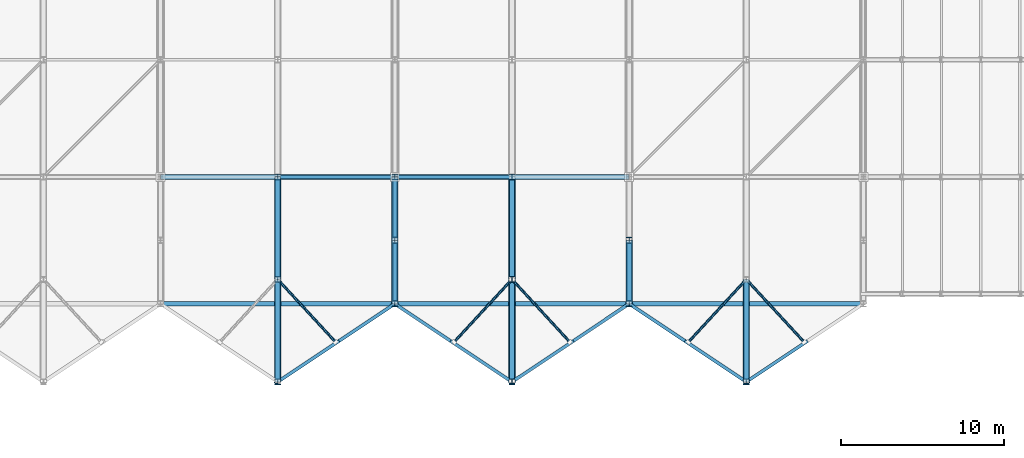
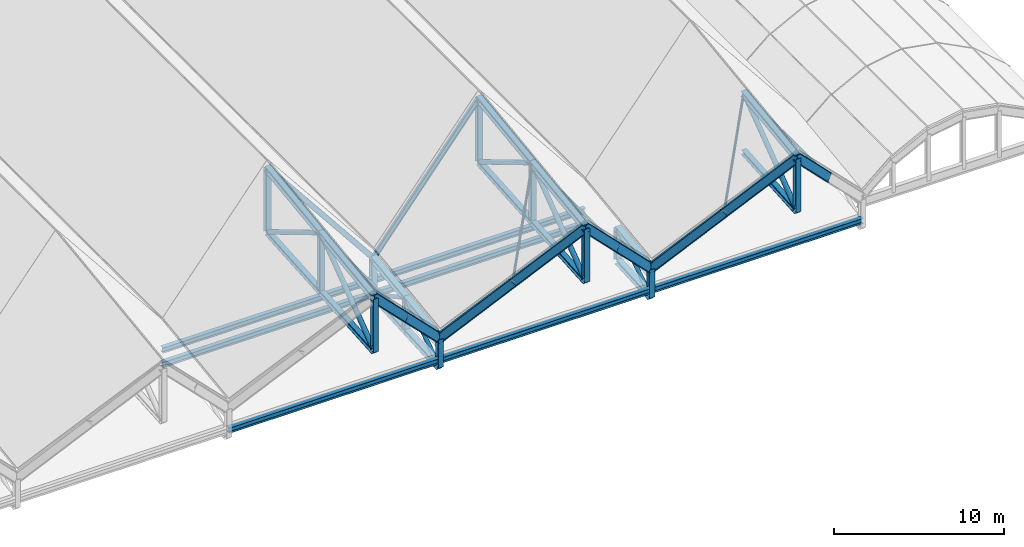
# One storey, part 11 of 60: 52 members, 7 beams.
"""IFC4 building model written with IfcOpenShell, lengths in metres."""

from ifc_helpers import new_model, si_unit, direction, frame, origin, origin_2d, place, context, subcontext, project, spatial, hollow_circle, i_section, extrude, material, material_profile, profile_set, type_object, element, save


model = new_model("IFC4")

# Units and contexts
model_context = context("Model", 3, precision=1e-05, world=origin(), true_north=direction((0.0, 1.0)))
body_context = subcontext(model_context, "Body", "Model", "MODEL_VIEW")
ifc_project = project(units=[si_unit("LENGTHUNIT", "METRE"), si_unit("AREAUNIT", "SQUARE_METRE"), si_unit("VOLUMEUNIT", "CUBIC_METRE"), si_unit("PLANEANGLEUNIT", "RADIAN"), si_unit("MASSUNIT", "GRAM", prefix="KILO")], contexts=[model_context])

# Site, building, storey
site_placement = place(None, origin())
site = spatial("IfcSite", under=ifc_project, at=site_placement, CompositionType="ELEMENT")
building_placement = place(site_placement, origin())
building = spatial("IfcBuilding", under=site, at=building_placement, Name="Vesperath Aquatics Centre", CompositionType="ELEMENT")
storey_placement = place(building_placement, frame((0.0, 0.0, 27.60009765625)))
storey = spatial("IfcBuildingStorey", under=building, at=storey_placement, Name="RF", CompositionType="ELEMENT", Elevation=27.60009765625)

# Beams
ifc_material_1 = material(Name="Steel Q355C", Category="steel")
ifc_material_profile_1 = material_profile(ifc_material_1, i_section(OverallWidth=0.300048828125, OverallDepth=0.389892578125, WebThickness=0.010009765625, FlangeThickness=0.01611328125, FilletRadius=0.02197265625, at=origin_2d()), Name="HM 390x300x10x16")
ifc_profile_set_1 = profile_set([ifc_material_profile_1], Name="Steel Q355C")
beam_type_1 = type_object("IfcBeamType", Name="BM-RB02", PredefinedType="BEAM", material=ifc_profile_set_1)
for number, where, z_axis, x_axis, name in (
    (1, (57.60009765625, 6.60009765625, -12.400146484375), (1.0, 0.0, 0.0), (0.0, 1.0, 0.0), "Natatorium Roof Deck Support Beam B11 G5-6.6"),
    (2, (57.60009765625, 14.39990234375, -12.400146484375), (1.0, 0.0, 0.0), (0.0, 1.0, 0.0), "Natatorium Roof Deck Support Beam B11 G5-14.4"),
    (3, (72.0, 6.60009765625, -12.400146484375), (1.0, 0.0, 0.0), (0.0, 1.0, 0.0), "Natatorium Roof Deck Support Beam B11 G6-6.6"),
    (4, (72.0, 14.39990234375, -12.400146484375), (1.0, 0.0, 0.0), (0.0, 1.0, 0.0), "Natatorium Roof Deck Support Beam B11 G6-14.4"),
):
    element("IfcBeam", number, at=place(storey_placement, frame(where, z_axis=z_axis, x_axis=x_axis)), inside=storey, type_object=beam_type_1, Name=name, PredefinedType="BEAM", context=body_context, shape_type="SweptSolid", body=[
        extrude(i_section(OverallWidth=0.300048828125, OverallDepth=0.389892578125, WebThickness=0.010009765625, FlangeThickness=0.01611328125, FilletRadius=0.02197265625, at=origin_2d()), origin(), (0.0, 0.0, 1.0), 14.39990234375),
    ])
beam_placement = place(storey_placement, frame((86.39990234375, 6.60009765625, -12.400146484375), z_axis=(1.0, 0.0, 0.0), x_axis=(0.0, 1.0, 0.0)))
element("IfcBeam", 5, at=beam_placement, inside=storey, type_object=beam_type_1, Name="Natatorium Roof Deck Support Beam B11 G7-6.6", PredefinedType="BEAM", context=body_context, shape_type="SweptSolid", body=[
    extrude(i_section(OverallWidth=0.300048828125, OverallDepth=0.389892578125, WebThickness=0.010009765625, FlangeThickness=0.01611328125, FilletRadius=0.02197265625, at=origin_2d()), origin(), (0.0, 0.0, 1.0), 14.400146484375),
])
ifc_material_profile_2 = material_profile(ifc_material_1, i_section(OverallWidth=0.300048828125, OverallDepth=0.389892578125, WebThickness=0.010009765625, FlangeThickness=0.01611328125, FilletRadius=0.02197265625, at=origin_2d()), Name="HM 390x300x10x16")
ifc_profile_set_2 = profile_set([ifc_material_profile_2], Name="Steel Q355C")
beam_type_2 = type_object("IfcBeamType", Name="BM-RB06", PredefinedType="BEAM", material=ifc_profile_set_2)
for number, where, z_axis, x_axis, name in (
    (6, (57.60009765625, 14.39990234375, -11.359375), (1.0, 0.0, 0.0), (0.0, 1.0, 0.0), "Natatorium Roof Deck Support Beam B11 G5-14.4"),
    (7, (72.0, 14.39990234375, -11.359375), (1.0, 0.0, 0.0), (0.0, 1.0, 0.0), "Natatorium Roof Deck Support Beam B11 G6-14.4"),
):
    element("IfcBeam", number, at=place(storey_placement, frame(where, z_axis=z_axis, x_axis=x_axis)), inside=storey, type_object=beam_type_2, Name=name, PredefinedType="BEAM", context=body_context, shape_type="SweptSolid", body=[
        extrude(i_section(OverallWidth=0.300048828125, OverallDepth=0.389892578125, WebThickness=0.010009765625, FlangeThickness=0.01611328125, FilletRadius=0.02197265625, at=origin_2d()), origin(), (0.0, 0.0, 1.0), 14.39990234375),
    ])

# Members
ifc_material_2 = material(Name="Steel Q355D", Category="steel")
ifc_material_profile_3 = material_profile(ifc_material_2, i_section(OverallWidth=0.199951171875, OverallDepth=0.60009765625, WebThickness=0.010986328125, FlangeThickness=0.01708984375, FilletRadius=0.02197265625, at=origin_2d()), Name="HN 600x200x11x17")
ifc_profile_set_3 = profile_set([ifc_material_profile_3], Name="Steel Q355D")
member_type_1 = type_object("IfcMemberType", Name="MB-AR01", PredefinedType="RAFTER", material=ifc_profile_set_3)
member_1_placement = place(storey_placement, frame((72.0, 6.60009765625, -10.8408203125), z_axis=(-0.598412396248, -0.398955124611, 0.694793071759), x_axis=(0.554713217289, -0.832041613482, 0.0)))
element("IfcMember", 8, at=member_1_placement, inside=storey, type_object=member_type_1, Name="Natatorium Cutback Hood Verge Rafter AR01 B10A", PredefinedType="RAFTER", context=body_context, shape_type="SweptSolid", body=[
    extrude(i_section(OverallWidth=0.199951171875, OverallDepth=0.60009765625, WebThickness=0.010986328125, FlangeThickness=0.01708984375, FilletRadius=0.02197265625, at=origin_2d()), origin(), (0.0, 0.0, 1.0), 6.01611328125),
])
member_2_placement = place(storey_placement, frame((68.39990234375, 4.199951171875, -6.660888671875), z_axis=(-0.598412907941, -0.398941938627, 0.69480020237), x_axis=(0.554700196225, -0.832050294338, 0.0)))
element("IfcMember", 9, at=member_2_placement, inside=storey, type_object=member_type_1, Name="Natatorium Cutback Hood Verge Rafter AR01 B10B", PredefinedType="RAFTER", context=body_context, shape_type="SweptSolid", body=[
    extrude(i_section(OverallWidth=0.199951171875, OverallDepth=0.60009765625, WebThickness=0.010986328125, FlangeThickness=0.01708984375, FilletRadius=0.02197265625, at=origin_2d()), origin(), (0.0, 0.0, 1.0), 6.015625),
])
member_3_placement = place(storey_placement, frame((72.0, 6.60009765625, -10.8408203125), z_axis=(0.598412396248, -0.398955124611, 0.694793071759), x_axis=(0.554713217289, 0.832041613482, 0.0)))
element("IfcMember", 10, at=member_3_placement, inside=storey, type_object=member_type_1, Name="Natatorium Cutback Hood Verge Rafter AR01 B11A", PredefinedType="RAFTER", context=body_context, shape_type="SweptSolid", body=[
    extrude(i_section(OverallWidth=0.199951171875, OverallDepth=0.60009765625, WebThickness=0.010986328125, FlangeThickness=0.01708984375, FilletRadius=0.02197265625, at=origin_2d()), origin(), (0.0, 0.0, 1.0), 6.01611328125),
])
member_4_placement = place(storey_placement, frame((75.60009765625, 4.199951171875, -6.660888671875), z_axis=(0.598412907941, -0.398941938627, 0.69480020237), x_axis=(0.554700196225, 0.832050294338, 0.0)))
element("IfcMember", 11, at=member_4_placement, inside=storey, type_object=member_type_1, Name="Natatorium Cutback Hood Verge Rafter AR01 B11B", PredefinedType="RAFTER", context=body_context, shape_type="SweptSolid", body=[
    extrude(i_section(OverallWidth=0.199951171875, OverallDepth=0.60009765625, WebThickness=0.010986328125, FlangeThickness=0.01708984375, FilletRadius=0.02197265625, at=origin_2d()), origin(), (0.0, 0.0, 1.0), 6.015625),
])
for number, where, z_axis, x_axis, name in (
    (12, (86.39990234375, 6.60009765625, -10.8408203125), (-0.598386346033, -0.398964813011, 0.694809944417), (0.554739260842, -0.832024249935, 0.0), "Natatorium Cutback Hood Verge Rafter AR01 B12A"),
    (13, (82.800048828125, 4.199951171875, -6.660888671875), (-0.598438958022, -0.398932249922, 0.694783328451), (0.554674152876, -0.832067655982, 0.0), "Natatorium Cutback Hood Verge Rafter AR01 B12B"),
):
    element("IfcMember", number, at=place(storey_placement, frame(where, z_axis=z_axis, x_axis=x_axis)), inside=storey, type_object=member_type_1, Name=name, PredefinedType="RAFTER", context=body_context, shape_type="SweptSolid", body=[
        extrude(i_section(OverallWidth=0.199951171875, OverallDepth=0.60009765625, WebThickness=0.010986328125, FlangeThickness=0.01708984375, FilletRadius=0.02197265625, at=origin_2d()), origin(), (0.0, 0.0, 1.0), 6.015869140625),
    ])
member_5_placement = place(storey_placement, frame((86.39990234375, 6.60009765625, -10.8408203125), z_axis=(0.598412396248, -0.398955124611, 0.694793071759), x_axis=(0.554713217289, 0.832041613482, 0.0)))
element("IfcMember", 14, at=member_5_placement, inside=storey, type_object=member_type_1, Name="Natatorium Cutback Hood Verge Rafter AR01 B13A", PredefinedType="RAFTER", context=body_context, shape_type="SweptSolid", body=[
    extrude(i_section(OverallWidth=0.199951171875, OverallDepth=0.60009765625, WebThickness=0.010986328125, FlangeThickness=0.01708984375, FilletRadius=0.02197265625, at=origin_2d()), origin(), (0.0, 0.0, 1.0), 6.01611328125),
])
member_6_placement = place(storey_placement, frame((90.0, 4.199951171875, -6.660888671875), z_axis=(0.598438958022, -0.398932249922, 0.694783328451), x_axis=(0.554674152876, 0.832067655982, 0.0)))
element("IfcMember", 15, at=member_6_placement, inside=storey, type_object=member_type_1, Name="Natatorium Cutback Hood Verge Rafter AR01 B13B", PredefinedType="RAFTER", context=body_context, shape_type="SweptSolid", body=[
    extrude(i_section(OverallWidth=0.199951171875, OverallDepth=0.60009765625, WebThickness=0.010986328125, FlangeThickness=0.01708984375, FilletRadius=0.02197265625, at=origin_2d()), origin(), (0.0, 0.0, 1.0), 6.015869140625),
])
member_7_placement = place(storey_placement, frame((97.199951171875, 4.199951171875, -6.660888671875), z_axis=(-0.598412907941, -0.398941938627, 0.69480020237), x_axis=(0.554700196225, -0.832050294338, 0.0)))
element("IfcMember", 16, at=member_7_placement, inside=storey, type_object=member_type_1, Name="Natatorium Cutback Hood Verge Rafter AR01 B14B", PredefinedType="RAFTER", context=body_context, shape_type="SweptSolid", body=[
    extrude(i_section(OverallWidth=0.199951171875, OverallDepth=0.60009765625, WebThickness=0.010986328125, FlangeThickness=0.01708984375, FilletRadius=0.02197265625, at=origin_2d()), origin(), (0.0, 0.0, 1.0), 6.015625),
])
ifc_material_profile_4 = material_profile(ifc_material_2, i_section(OverallWidth=0.39990234375, OverallDepth=0.39990234375, WebThickness=0.012939453125, FlangeThickness=0.02099609375, FilletRadius=0.02197265625, at=origin_2d()), Name="HW 400x400x13x21")
ifc_profile_set_4 = profile_set([ifc_material_profile_4], Name="Steel Q355D")
member_type_2 = type_object("IfcMemberType", Name="MB-BC01", PredefinedType="CHORD", material=ifc_profile_set_4)
for number, where, z_axis, x_axis, name in (
    (17, (72.0, 6.60009765625, -12.868408203125), (0.0, 0.998202752751, 0.059927159127), (-1.0, 0.0, 0.0), "Natatorium ROOF TRUSS Bottom Chord BC01 G11-1"),
    (18, (72.0, 10.5, -12.63427734375), (0.0, 0.998202752751, 0.059927159127), (-1.0, 0.0, 0.0), "Natatorium ROOF TRUSS Bottom Chord BC01 G11-2"),
    (19, (86.39990234375, 6.60009765625, -12.868408203125), (0.0, 0.998202752751, 0.059927159127), (-1.0, 0.0, 0.0), "Natatorium ROOF TRUSS Bottom Chord BC01 G13-1"),
):
    element("IfcMember", number, at=place(storey_placement, frame(where, z_axis=z_axis, x_axis=x_axis)), inside=storey, type_object=member_type_2, Name=name, PredefinedType="CHORD", context=body_context, shape_type="SweptSolid", body=[
        extrude(i_section(OverallWidth=0.39990234375, OverallDepth=0.39990234375, WebThickness=0.012939453125, FlangeThickness=0.02099609375, FilletRadius=0.02197265625, at=origin_2d()), origin(), (0.0, 0.0, 1.0), 3.906982421875),
    ])
ifc_material_profile_5 = material_profile(ifc_material_2, i_section(OverallWidth=0.35009765625, OverallDepth=0.35009765625, WebThickness=0.011962890625, FlangeThickness=0.01904296875, FilletRadius=0.02001953125, at=origin_2d()), Name="HW 350x350x12x19")
ifc_profile_set_5 = profile_set([ifc_material_profile_5], Name="Steel Q355D")
member_type_3 = type_object("IfcMemberType", Name="MB-BC02", PredefinedType="CHORD", material=ifc_profile_set_5)
member_8_placement = place(storey_placement, frame((64.800048828125, 1.800048828125, -6.32470703125), z_axis=(0.0, 0.997317301509, 0.073199727536), x_axis=(-1.0, 0.0, 0.0)))
element("IfcMember", 20, at=member_8_placement, inside=storey, type_object=member_type_3, Name="Natatorium ROOF TRUSS Bottom Chord BC02 G10-1", PredefinedType="CHORD", context=body_context, shape_type="SweptSolid", body=[
    extrude(i_section(OverallWidth=0.35009765625, OverallDepth=0.35009765625, WebThickness=0.011962890625, FlangeThickness=0.01904296875, FilletRadius=0.02001953125, at=origin_2d()), origin(), (0.0, 0.0, 1.0), 6.31689453125),
])
member_9_placement = place(storey_placement, frame((64.800048828125, 8.10009765625, -5.8623046875), z_axis=(0.0, 0.997319915346, 0.07316410633), x_axis=(-1.0, 0.0, 0.0)))
element("IfcMember", 21, at=member_9_placement, inside=storey, type_object=member_type_3, Name="Natatorium ROOF TRUSS Bottom Chord BC02 G10-2", PredefinedType="CHORD", context=body_context, shape_type="SweptSolid", body=[
    extrude(i_section(OverallWidth=0.35009765625, OverallDepth=0.35009765625, WebThickness=0.011962890625, FlangeThickness=0.01904296875, FilletRadius=0.02001953125, at=origin_2d()), origin(), (0.0, 0.0, 1.0), 6.316650390625),
])
member_10_placement = place(storey_placement, frame((79.199951171875, 1.800048828125, -6.32470703125), z_axis=(0.0, 0.997317301509, 0.073199727536), x_axis=(-1.0, 0.0, 0.0)))
element("IfcMember", 22, at=member_10_placement, inside=storey, type_object=member_type_3, Name="Natatorium ROOF TRUSS Bottom Chord BC02 G12-1", PredefinedType="CHORD", context=body_context, shape_type="SweptSolid", body=[
    extrude(i_section(OverallWidth=0.35009765625, OverallDepth=0.35009765625, WebThickness=0.011962890625, FlangeThickness=0.01904296875, FilletRadius=0.02001953125, at=origin_2d()), origin(), (0.0, 0.0, 1.0), 6.31689453125),
])
member_11_placement = place(storey_placement, frame((79.199951171875, 8.10009765625, -5.8623046875), z_axis=(0.0, 0.997319915346, 0.07316410633), x_axis=(-1.0, 0.0, 0.0)))
element("IfcMember", 23, at=member_11_placement, inside=storey, type_object=member_type_3, Name="Natatorium ROOF TRUSS Bottom Chord BC02 G12-2", PredefinedType="CHORD", context=body_context, shape_type="SweptSolid", body=[
    extrude(i_section(OverallWidth=0.35009765625, OverallDepth=0.35009765625, WebThickness=0.011962890625, FlangeThickness=0.01904296875, FilletRadius=0.02001953125, at=origin_2d()), origin(), (0.0, 0.0, 1.0), 6.316650390625),
])
member_12_placement = place(storey_placement, frame((93.60009765625, 1.800048828125, -6.32470703125), z_axis=(0.0, 0.997317301509, 0.073199727536), x_axis=(-1.0, 0.0, 0.0)))
element("IfcMember", 24, at=member_12_placement, inside=storey, type_object=member_type_3, Name="Natatorium ROOF TRUSS Bottom Chord BC02 G14-1", PredefinedType="CHORD", context=body_context, shape_type="SweptSolid", body=[
    extrude(i_section(OverallWidth=0.35009765625, OverallDepth=0.35009765625, WebThickness=0.011962890625, FlangeThickness=0.01904296875, FilletRadius=0.02001953125, at=origin_2d()), origin(), (0.0, 0.0, 1.0), 6.31689453125),
])
ifc_material_profile_6 = material_profile(ifc_material_2, hollow_circle(Radius=0.084228515625, WallThickness=0.008056640625, at=origin_2d()), Name="CHS 168.3x8")
ifc_profile_set_6 = profile_set([ifc_material_profile_6], Name="Steel Q355D")
member_type_4 = type_object("IfcMemberType", Name="MB-BR01", PredefinedType="BRACE", material=ifc_profile_set_6)
for number, where, z_axis, x_axis, name in (
    (25, (68.360595703125, 4.24267578125, -6.60595703125), (-0.49276760829, 0.533834422765, 0.687168751684), (-0.734805247598, -0.67827814951, 0.0), "Natatorium Cutback Hood Tie Brace BR01 B10"),
    (26, (75.639404296875, 4.24267578125, -6.60595703125), (0.49276760829, 0.533834422765, 0.687168751684), (-0.734805247598, 0.67827814951, 0.0), "Natatorium Cutback Hood Tie Brace BR01 B11"),
    (27, (82.760498046875, 4.24267578125, -6.60595703125), (-0.492741738274, 0.533843410105, 0.687180320476), (-0.73482868654, -0.678252756306, 0.0), "Natatorium Cutback Hood Tie Brace BR01 B12"),
    (28, (90.039306640625, 4.24267578125, -6.60595703125), (0.49276760829, 0.533834422765, 0.687168751684), (-0.734805247598, 0.67827814951, 0.0), "Natatorium Cutback Hood Tie Brace BR01 B13"),
    (29, (97.16064453125, 4.24267578125, -6.60595703125), (-0.49276760829, 0.533834422765, 0.687168751684), (-0.734805247598, -0.67827814951, 0.0), "Natatorium Cutback Hood Tie Brace BR01 B14"),
):
    element("IfcMember", number, at=place(storey_placement, frame(where, z_axis=z_axis, x_axis=x_axis)), inside=storey, type_object=member_type_4, Name=name, PredefinedType="BRACE", context=body_context, shape_type="SweptSolid", body=[
        extrude(hollow_circle(Radius=0.084228515625, WallThickness=0.008056640625, at=origin_2d()), origin(), (0.0, 0.0, 1.0), 7.145751953125),
    ])
ifc_material_profile_7 = material_profile(ifc_material_1, i_section(OverallWidth=0.175048828125, OverallDepth=0.35009765625, WebThickness=0.007080078125, FlangeThickness=0.010986328125, FilletRadius=0.012939453125, at=origin_2d()), Name="HN 350x175x7x11")
ifc_profile_set_7 = profile_set([ifc_material_profile_7], Name="Steel Q355C")
member_type_5 = type_object("IfcMemberType", Name="MB-PR01", PredefinedType="PURLIN", material=ifc_profile_set_7)
for number, where, z_axis, x_axis, name in (
    (30, (64.800048828125, 14.39990234375, -0.800048828125), (0.624692464322, 0.0, -0.780870876022), (0.0, 1.0, 0.0), "Natatorium Roof Purlin PR01 B10-1"),
    (31, (72.0, 14.39990234375, -9.800048828125), (0.624692464322, 0.0, 0.780870876022), (0.0, 1.0, 0.0), "Natatorium Roof Purlin PR01 B11-1"),
):
    element("IfcMember", number, at=place(storey_placement, frame(where, z_axis=z_axis, x_axis=x_axis)), inside=storey, type_object=member_type_5, Name=name, PredefinedType="PURLIN", context=body_context, shape_type="SweptSolid", body=[
        extrude(i_section(OverallWidth=0.175048828125, OverallDepth=0.35009765625, WebThickness=0.007080078125, FlangeThickness=0.010986328125, FilletRadius=0.012939453125, at=origin_2d()), origin(), (0.0, 0.0, 1.0), 11.525634765625),
    ])
ifc_material_profile_8 = material_profile(ifc_material_2, i_section(OverallWidth=0.406982421875, OverallDepth=0.427978515625, WebThickness=0.02001953125, FlangeThickness=0.034912109375, FilletRadius=0.02197265625, at=origin_2d()), Name="HW 428x407x20x35")
ifc_profile_set_8 = profile_set([ifc_material_profile_8], Name="Steel Q355D")
member_type_6 = type_object("IfcMemberType", Name="MB-TC01", PredefinedType="CHORD", material=ifc_profile_set_8)
member_13_placement = place(storey_placement, frame((64.800048828125, 1.800048828125, -2.481201171875), z_axis=(0.0, 0.991216155177, 0.132251781526), x_axis=(-1.0, 0.0, 0.0)))
element("IfcMember", 32, at=member_13_placement, inside=storey, type_object=member_type_6, Name="Natatorium ROOF TRUSS Top Chord TC01 G10-1", PredefinedType="CHORD", context=body_context, shape_type="SweptSolid", body=[
    extrude(i_section(OverallWidth=0.406982421875, OverallDepth=0.427978515625, WebThickness=0.02001953125, FlangeThickness=0.034912109375, FilletRadius=0.02197265625, at=origin_2d()), origin(), (0.0, 0.0, 1.0), 6.35595703125),
])
member_14_placement = place(storey_placement, frame((64.800048828125, 8.10009765625, -1.640625), z_axis=(0.0, 0.991215483296, 0.132256817121), x_axis=(-1.0, 0.0, 0.0)))
element("IfcMember", 33, at=member_14_placement, inside=storey, type_object=member_type_6, Name="Natatorium ROOF TRUSS Top Chord TC01 G10-2", PredefinedType="CHORD", context=body_context, shape_type="SweptSolid", body=[
    extrude(i_section(OverallWidth=0.406982421875, OverallDepth=0.427978515625, WebThickness=0.02001953125, FlangeThickness=0.034912109375, FilletRadius=0.02197265625, at=origin_2d()), origin(), (0.0, 0.0, 1.0), 6.355712890625),
])
member_15_placement = place(storey_placement, frame((79.199951171875, 1.800048828125, -2.481201171875), z_axis=(0.0, 0.991216155177, 0.132251781526), x_axis=(-1.0, 0.0, 0.0)))
element("IfcMember", 34, at=member_15_placement, inside=storey, type_object=member_type_6, Name="Natatorium ROOF TRUSS Top Chord TC01 G12-1", PredefinedType="CHORD", context=body_context, shape_type="SweptSolid", body=[
    extrude(i_section(OverallWidth=0.406982421875, OverallDepth=0.427978515625, WebThickness=0.02001953125, FlangeThickness=0.034912109375, FilletRadius=0.02197265625, at=origin_2d()), origin(), (0.0, 0.0, 1.0), 6.35595703125),
])
member_16_placement = place(storey_placement, frame((79.199951171875, 8.10009765625, -1.640625), z_axis=(0.0, 0.991215483296, 0.132256817121), x_axis=(-1.0, 0.0, 0.0)))
element("IfcMember", 35, at=member_16_placement, inside=storey, type_object=member_type_6, Name="Natatorium ROOF TRUSS Top Chord TC01 G12-2", PredefinedType="CHORD", context=body_context, shape_type="SweptSolid", body=[
    extrude(i_section(OverallWidth=0.406982421875, OverallDepth=0.427978515625, WebThickness=0.02001953125, FlangeThickness=0.034912109375, FilletRadius=0.02197265625, at=origin_2d()), origin(), (0.0, 0.0, 1.0), 6.355712890625),
])
member_17_placement = place(storey_placement, frame((93.60009765625, 1.800048828125, -2.481201171875), z_axis=(0.0, 0.991216155177, 0.132251781526), x_axis=(-1.0, 0.0, 0.0)))
element("IfcMember", 36, at=member_17_placement, inside=storey, type_object=member_type_6, Name="Natatorium ROOF TRUSS Top Chord TC01 G14-1", PredefinedType="CHORD", context=body_context, shape_type="SweptSolid", body=[
    extrude(i_section(OverallWidth=0.406982421875, OverallDepth=0.427978515625, WebThickness=0.02001953125, FlangeThickness=0.034912109375, FilletRadius=0.02197265625, at=origin_2d()), origin(), (0.0, 0.0, 1.0), 6.35595703125),
])
ifc_material_profile_9 = material_profile(ifc_material_2, i_section(OverallWidth=0.39990234375, OverallDepth=0.39990234375, WebThickness=0.012939453125, FlangeThickness=0.02099609375, FilletRadius=0.02197265625, at=origin_2d()), Name="HW 400x400x13x21")
ifc_profile_set_9 = profile_set([ifc_material_profile_9], Name="Steel Q355D")
member_type_7 = type_object("IfcMemberType", Name="MB-TC02", PredefinedType="CHORD", material=ifc_profile_set_9)
for number, where, z_axis, x_axis, name in (
    (37, (72.0, 6.60009765625, -10.8408203125), (0.0, 0.991218685313, 0.132232816978), (-1.0, 0.0, 0.0), "Natatorium ROOF TRUSS Top Chord TC02 G11-1"),
    (38, (72.0, 10.5, -10.320556640625), (0.0, 0.991210550247, 0.132293783218), (-1.0, 0.0, 0.0), "Natatorium ROOF TRUSS Top Chord TC02 G11-2"),
    (39, (86.39990234375, 6.60009765625, -10.8408203125), (0.0, 0.991218685313, 0.132232816978), (-1.0, 0.0, 0.0), "Natatorium ROOF TRUSS Top Chord TC02 G13-1"),
):
    element("IfcMember", number, at=place(storey_placement, frame(where, z_axis=z_axis, x_axis=x_axis)), inside=storey, type_object=member_type_7, Name=name, PredefinedType="CHORD", context=body_context, shape_type="SweptSolid", body=[
        extrude(i_section(OverallWidth=0.39990234375, OverallDepth=0.39990234375, WebThickness=0.012939453125, FlangeThickness=0.02099609375, FilletRadius=0.02197265625, at=origin_2d()), origin(), (0.0, 0.0, 1.0), 3.9345703125),
    ])
ifc_material_profile_10 = material_profile(ifc_material_2, hollow_circle(Radius=0.161865234375, WallThickness=0.013916015625, at=origin_2d()), Name="CHS 323.9x14")
ifc_profile_set_10 = profile_set([ifc_material_profile_10], Name="Steel Q355D")
member_type_8 = type_object("IfcMemberType", Name="MB-TD01", PredefinedType="BRACE", material=ifc_profile_set_10)
member_18_placement = place(storey_placement, frame((64.800048828125, 1.8642578125, -6.277099609375), z_axis=(0.0, 0.802495859329, 0.596657687254), x_axis=(-1.0, 0.0, 0.0)))
element("IfcMember", 40, at=member_18_placement, inside=storey, type_object=member_type_8, Name="Natatorium ROOF TRUSS Diagonal TD01 G10-1", PredefinedType="BRACE", context=body_context, shape_type="SweptSolid", body=[
    extrude(hollow_circle(Radius=0.161865234375, WallThickness=0.013916015625, at=origin_2d()), origin(), (0.0, 0.0, 1.0), 7.6904296875),
])
member_19_placement = place(storey_placement, frame((64.800048828125, 8.168701171875, -1.681640625), z_axis=(0.0, 0.858724173278, -0.51243808819), x_axis=(-1.0, 0.0, 0.0)))
element("IfcMember", 41, at=member_19_placement, inside=storey, type_object=member_type_8, Name="Natatorium ROOF TRUSS Diagonal TD01 G10-2", PredefinedType="BRACE", context=body_context, shape_type="SweptSolid", body=[
    extrude(hollow_circle(Radius=0.161865234375, WallThickness=0.013916015625, at=origin_2d()), origin(), (0.0, 0.0, 1.0), 7.176513671875),
])
member_20_placement = place(storey_placement, frame((79.199951171875, 1.8642578125, -6.277099609375), z_axis=(0.0, 0.802495859329, 0.596657687254), x_axis=(-1.0, 0.0, 0.0)))
element("IfcMember", 42, at=member_20_placement, inside=storey, type_object=member_type_8, Name="Natatorium ROOF TRUSS Diagonal TD01 G12-1", PredefinedType="BRACE", context=body_context, shape_type="SweptSolid", body=[
    extrude(hollow_circle(Radius=0.161865234375, WallThickness=0.013916015625, at=origin_2d()), origin(), (0.0, 0.0, 1.0), 7.6904296875),
])
member_21_placement = place(storey_placement, frame((79.199951171875, 8.168701171875, -1.681640625), z_axis=(0.0, 0.858724173278, -0.51243808819), x_axis=(-1.0, 0.0, 0.0)))
element("IfcMember", 43, at=member_21_placement, inside=storey, type_object=member_type_8, Name="Natatorium ROOF TRUSS Diagonal TD01 G12-2", PredefinedType="BRACE", context=body_context, shape_type="SweptSolid", body=[
    extrude(hollow_circle(Radius=0.161865234375, WallThickness=0.013916015625, at=origin_2d()), origin(), (0.0, 0.0, 1.0), 7.176513671875),
])
member_22_placement = place(storey_placement, frame((93.60009765625, 1.8642578125, -6.277099609375), z_axis=(0.0, 0.802495859329, 0.596657687254), x_axis=(-1.0, 0.0, 0.0)))
element("IfcMember", 44, at=member_22_placement, inside=storey, type_object=member_type_8, Name="Natatorium ROOF TRUSS Diagonal TD01 G14-1", PredefinedType="BRACE", context=body_context, shape_type="SweptSolid", body=[
    extrude(hollow_circle(Radius=0.161865234375, WallThickness=0.013916015625, at=origin_2d()), origin(), (0.0, 0.0, 1.0), 7.6904296875),
])
ifc_material_profile_11 = material_profile(ifc_material_2, hollow_circle(Radius=0.136474609375, WallThickness=0.011962890625, at=origin_2d()), Name="CHS 273.0x12")
ifc_profile_set_11 = profile_set([ifc_material_profile_11], Name="Steel Q355D")
member_type_9 = type_object("IfcMemberType", Name="MB-TD02", PredefinedType="BRACE", material=ifc_profile_set_11)
member_23_placement = place(storey_placement, frame((72.0, 6.6669921875, -12.82470703125), z_axis=(0.0, 0.837174151823, 0.546936412684), x_axis=(-1.0, 0.0, 0.0)))
element("IfcMember", 45, at=member_23_placement, inside=storey, type_object=member_type_9, Name="Natatorium ROOF TRUSS Diagonal TD02 G11-1", PredefinedType="BRACE", context=body_context, shape_type="SweptSolid", body=[
    extrude(hollow_circle(Radius=0.136474609375, WallThickness=0.011962890625, at=origin_2d()), origin(), (0.0, 0.0, 1.0), 4.49853515625),
])
member_24_placement = place(storey_placement, frame((72.0, 10.570556640625, -10.358154296875), z_axis=(0.0, 0.882381496589, -0.470534689984), x_axis=(-1.0, 0.0, 0.0)))
element("IfcMember", 46, at=member_24_placement, inside=storey, type_object=member_type_9, Name="Natatorium ROOF TRUSS Diagonal TD02 G11-2", PredefinedType="BRACE", context=body_context, shape_type="SweptSolid", body=[
    extrude(hollow_circle(Radius=0.136474609375, WallThickness=0.011962890625, at=origin_2d()), origin(), (0.0, 0.0, 1.0), 4.259765625),
])
member_25_placement = place(storey_placement, frame((86.39990234375, 6.6669921875, -12.82470703125), z_axis=(0.0, 0.837174151823, 0.546936412684), x_axis=(-1.0, 0.0, 0.0)))
element("IfcMember", 47, at=member_25_placement, inside=storey, type_object=member_type_9, Name="Natatorium ROOF TRUSS Diagonal TD02 G13-1", PredefinedType="BRACE", context=body_context, shape_type="SweptSolid", body=[
    extrude(hollow_circle(Radius=0.136474609375, WallThickness=0.011962890625, at=origin_2d()), origin(), (0.0, 0.0, 1.0), 4.49853515625),
])
ifc_material_profile_12 = material_profile(ifc_material_2, i_section(OverallWidth=0.35009765625, OverallDepth=0.35009765625, WebThickness=0.011962890625, FlangeThickness=0.01904296875, FilletRadius=0.02001953125, at=origin_2d()), Name="HW 350x350x12x19")
ifc_profile_set_12 = profile_set([ifc_material_profile_12], Name="Steel Q355D")
member_type_10 = type_object("IfcMemberType", Name="MB-TP01", PredefinedType="POST", material=ifc_profile_set_12)
member_26_placement = place(storey_placement, frame((64.800048828125, 1.800048828125, -6.32470703125), z_axis=(0.0, 0.0, 1.0), x_axis=(1.0, 0.0, 0.0)))
element("IfcMember", 48, at=member_26_placement, inside=storey, type_object=member_type_10, Name="Natatorium ROOF TRUSS Post TP01 G10-1", PredefinedType="POST", context=body_context, shape_type="SweptSolid", body=[
    extrude(i_section(OverallWidth=0.35009765625, OverallDepth=0.35009765625, WebThickness=0.011962890625, FlangeThickness=0.01904296875, FilletRadius=0.02001953125, at=origin_2d()), origin(), (0.0, 0.0, 1.0), 3.843505859375),
])
member_27_placement = place(storey_placement, frame((64.800048828125, 8.10009765625, -5.8623046875), z_axis=(0.0, 0.0, 1.0), x_axis=(1.0, 0.0, 0.0)))
element("IfcMember", 49, at=member_27_placement, inside=storey, type_object=member_type_10, Name="Natatorium ROOF TRUSS Post TP01 G10-2", PredefinedType="POST", context=body_context, shape_type="SweptSolid", body=[
    extrude(i_section(OverallWidth=0.35009765625, OverallDepth=0.35009765625, WebThickness=0.011962890625, FlangeThickness=0.01904296875, FilletRadius=0.02001953125, at=origin_2d()), origin(), (0.0, 0.0, 1.0), 4.2216796875),
])
member_28_placement = place(storey_placement, frame((64.800048828125, 14.39990234375, -5.400146484375), z_axis=(0.0, 0.0, 1.0), x_axis=(1.0, 0.0, 0.0)))
element("IfcMember", 50, at=member_28_placement, inside=storey, type_object=member_type_10, Name="Natatorium ROOF TRUSS Post TP01 G10-3", PredefinedType="POST", context=body_context, shape_type="SweptSolid", body=[
    extrude(i_section(OverallWidth=0.35009765625, OverallDepth=0.35009765625, WebThickness=0.011962890625, FlangeThickness=0.01904296875, FilletRadius=0.02001953125, at=origin_2d()), origin(), (0.0, 0.0, 1.0), 4.60009765625),
])
member_29_placement = place(storey_placement, frame((72.0, 6.60009765625, -12.868408203125), z_axis=(0.0, 0.0, 1.0), x_axis=(1.0, 0.0, 0.0)))
element("IfcMember", 51, at=member_29_placement, inside=storey, type_object=member_type_10, Name="Natatorium ROOF TRUSS Post TP01 G11-1", PredefinedType="POST", context=body_context, shape_type="SweptSolid", body=[
    extrude(i_section(OverallWidth=0.35009765625, OverallDepth=0.35009765625, WebThickness=0.011962890625, FlangeThickness=0.01904296875, FilletRadius=0.02001953125, at=origin_2d()), origin(), (0.0, 0.0, 1.0), 2.027587890625),
])
member_30_placement = place(storey_placement, frame((72.0, 10.5, -12.63427734375), z_axis=(0.0, 0.0, 1.0), x_axis=(1.0, 0.0, 0.0)))
element("IfcMember", 52, at=member_30_placement, inside=storey, type_object=member_type_10, Name="Natatorium ROOF TRUSS Post TP01 G11-2", PredefinedType="POST", context=body_context, shape_type="SweptSolid", body=[
    extrude(i_section(OverallWidth=0.35009765625, OverallDepth=0.35009765625, WebThickness=0.011962890625, FlangeThickness=0.01904296875, FilletRadius=0.02001953125, at=origin_2d()), origin(), (0.0, 0.0, 1.0), 2.313720703125),
])
member_31_placement = place(storey_placement, frame((72.0, 14.39990234375, -12.400146484375), z_axis=(0.0, 0.0, 1.0), x_axis=(1.0, 0.0, 0.0)))
element("IfcMember", 53, at=member_31_placement, inside=storey, type_object=member_type_10, Name="Natatorium ROOF TRUSS Post TP01 G11-3", PredefinedType="POST", context=body_context, shape_type="SweptSolid", body=[
    extrude(i_section(OverallWidth=0.35009765625, OverallDepth=0.35009765625, WebThickness=0.011962890625, FlangeThickness=0.01904296875, FilletRadius=0.02001953125, at=origin_2d()), origin(), (0.0, 0.0, 1.0), 2.60009765625),
])
member_32_placement = place(storey_placement, frame((79.199951171875, 1.800048828125, -6.32470703125), z_axis=(0.0, 0.0, 1.0), x_axis=(1.0, 0.0, 0.0)))
element("IfcMember", 54, at=member_32_placement, inside=storey, type_object=member_type_10, Name="Natatorium ROOF TRUSS Post TP01 G12-1", PredefinedType="POST", context=body_context, shape_type="SweptSolid", body=[
    extrude(i_section(OverallWidth=0.35009765625, OverallDepth=0.35009765625, WebThickness=0.011962890625, FlangeThickness=0.01904296875, FilletRadius=0.02001953125, at=origin_2d()), origin(), (0.0, 0.0, 1.0), 3.843505859375),
])
member_33_placement = place(storey_placement, frame((79.199951171875, 8.10009765625, -5.8623046875), z_axis=(0.0, 0.0, 1.0), x_axis=(1.0, 0.0, 0.0)))
element("IfcMember", 55, at=member_33_placement, inside=storey, type_object=member_type_10, Name="Natatorium ROOF TRUSS Post TP01 G12-2", PredefinedType="POST", context=body_context, shape_type="SweptSolid", body=[
    extrude(i_section(OverallWidth=0.35009765625, OverallDepth=0.35009765625, WebThickness=0.011962890625, FlangeThickness=0.01904296875, FilletRadius=0.02001953125, at=origin_2d()), origin(), (0.0, 0.0, 1.0), 4.2216796875),
])
member_34_placement = place(storey_placement, frame((79.199951171875, 14.39990234375, -5.400146484375), z_axis=(0.0, 0.0, 1.0), x_axis=(1.0, 0.0, 0.0)))
element("IfcMember", 56, at=member_34_placement, inside=storey, type_object=member_type_10, Name="Natatorium ROOF TRUSS Post TP01 G12-3", PredefinedType="POST", context=body_context, shape_type="SweptSolid", body=[
    extrude(i_section(OverallWidth=0.35009765625, OverallDepth=0.35009765625, WebThickness=0.011962890625, FlangeThickness=0.01904296875, FilletRadius=0.02001953125, at=origin_2d()), origin(), (0.0, 0.0, 1.0), 4.60009765625),
])
member_35_placement = place(storey_placement, frame((86.39990234375, 6.60009765625, -12.868408203125), z_axis=(0.0, 0.0, 1.0), x_axis=(1.0, 0.0, 0.0)))
element("IfcMember", 57, at=member_35_placement, inside=storey, type_object=member_type_10, Name="Natatorium ROOF TRUSS Post TP01 G13-1", PredefinedType="POST", context=body_context, shape_type="SweptSolid", body=[
    extrude(i_section(OverallWidth=0.35009765625, OverallDepth=0.35009765625, WebThickness=0.011962890625, FlangeThickness=0.01904296875, FilletRadius=0.02001953125, at=origin_2d()), origin(), (0.0, 0.0, 1.0), 2.027587890625),
])
member_36_placement = place(storey_placement, frame((86.39990234375, 10.5, -12.63427734375), z_axis=(0.0, 0.0, 1.0), x_axis=(1.0, 0.0, 0.0)))
element("IfcMember", 58, at=member_36_placement, inside=storey, type_object=member_type_10, Name="Natatorium ROOF TRUSS Post TP01 G13-2", PredefinedType="POST", context=body_context, shape_type="SweptSolid", body=[
    extrude(i_section(OverallWidth=0.35009765625, OverallDepth=0.35009765625, WebThickness=0.011962890625, FlangeThickness=0.01904296875, FilletRadius=0.02001953125, at=origin_2d()), origin(), (0.0, 0.0, 1.0), 2.313720703125),
])
member_37_placement = place(storey_placement, frame((93.60009765625, 1.800048828125, -6.32470703125), z_axis=(0.0, 0.0, 1.0), x_axis=(1.0, 0.0, 0.0)))
element("IfcMember", 59, at=member_37_placement, inside=storey, type_object=member_type_10, Name="Natatorium ROOF TRUSS Post TP01 G14-1", PredefinedType="POST", context=body_context, shape_type="SweptSolid", body=[
    extrude(i_section(OverallWidth=0.35009765625, OverallDepth=0.35009765625, WebThickness=0.011962890625, FlangeThickness=0.01904296875, FilletRadius=0.02001953125, at=origin_2d()), origin(), (0.0, 0.0, 1.0), 3.843505859375),
])

save(model, "model.ifc")
